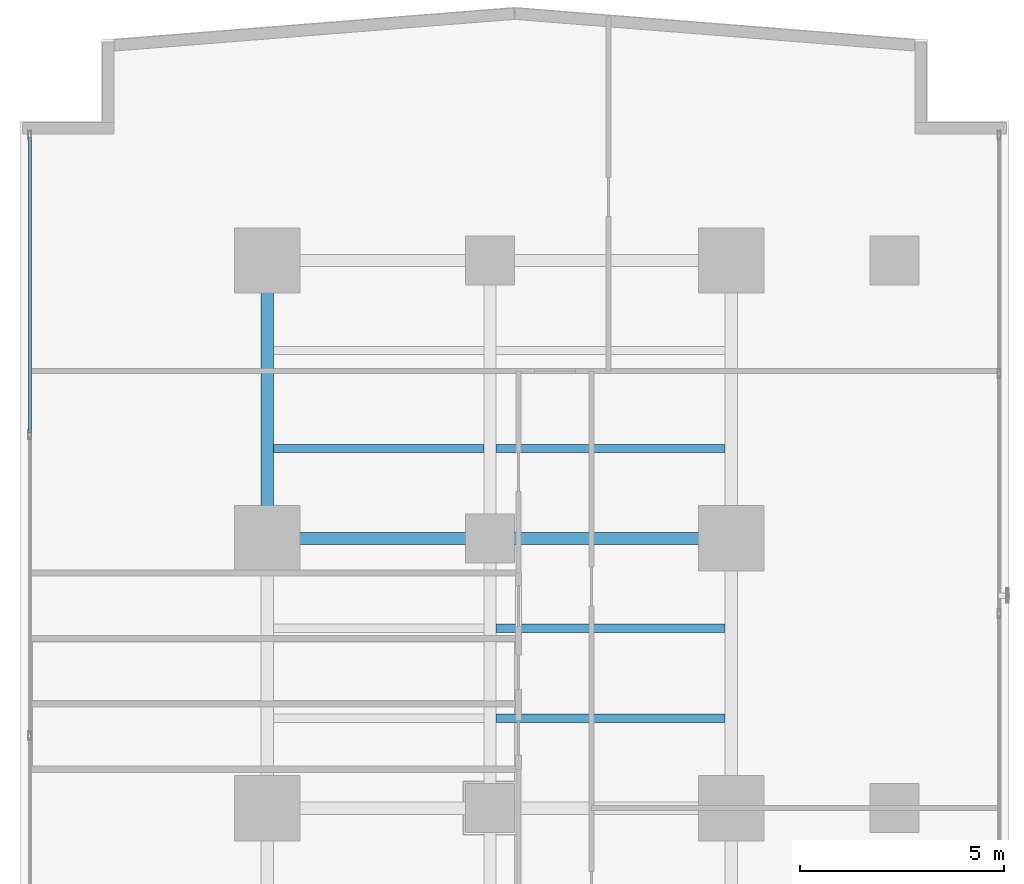
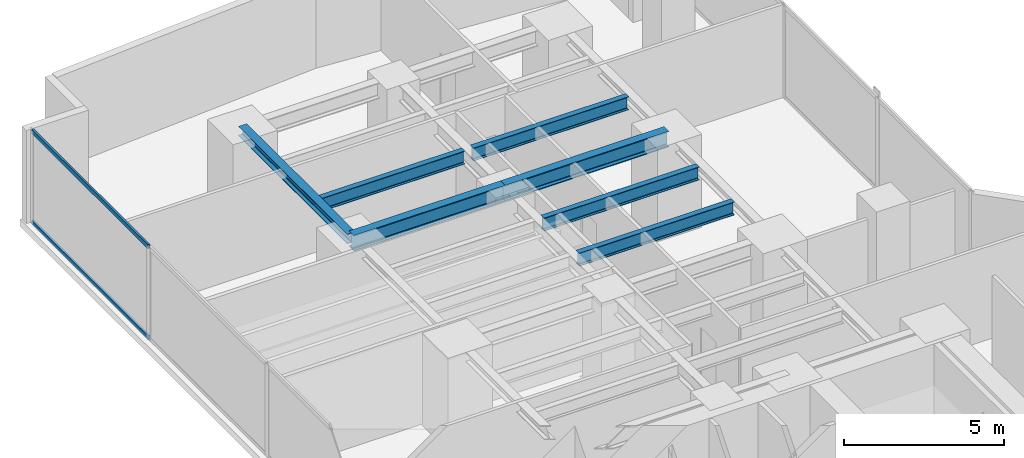
# One storey, part 16 of 26: 7 beams, 2 members, 1 element without a shape of its own.
"""IFC4 building model written with IfcOpenShell, lengths in metres."""

from ifc_helpers import new_model, si_unit, direction, frame, origin, origin_with_axes, origin_2d, place, context, subcontext, project, spatial, hollow_rectangle, i_section, extrude, source, transform, mapped, material, layer, layer_set, material_profile, profile_set, type_object, element, aggregate, save


model = new_model("IFC4")

# Units and contexts
model_context = context("Model", 3, precision=1e-05, world=origin(), true_north=direction((0.0, 1.0)))
body_context = subcontext(model_context, "Body", "Model", "MODEL_VIEW")
ifc_project = project(units=[si_unit("LENGTHUNIT", "METRE"), si_unit("AREAUNIT", "SQUARE_METRE"), si_unit("VOLUMEUNIT", "CUBIC_METRE"), si_unit("PLANEANGLEUNIT", "RADIAN"), si_unit("MASSUNIT", "GRAM", prefix="KILO")], contexts=[model_context])

# Site, building, storey
site_placement = place(None, origin())
site = spatial("IfcSite", under=ifc_project, at=site_placement, CompositionType="ELEMENT")
building_placement = place(site_placement, origin())
building = spatial("IfcBuilding", under=site, at=building_placement, Name="Kolvaren Waterfront Exchange", CompositionType="ELEMENT")
storey_placement = place(building_placement, frame((0.0, 0.0, 44.800048828125)))
storey = spatial("IfcBuildingStorey", under=building, at=storey_placement, Name="L11", CompositionType="ELEMENT", Elevation=44.800048828125)

# Beams
ifc_material_1 = material(Name="Steel S355", Category="steel")
ifc_material_profile_1 = material_profile(ifc_material_1, i_section(OverallWidth=0.300048828125, OverallDepth=0.360107421875, WebThickness=0.012451171875, FlangeThickness=0.0224609375, FilletRadius=0.027099609375, at=origin_2d()), Name="HEB360")
ifc_profile_set_1 = profile_set([ifc_material_profile_1], Name="Steel S355")
beam_type_1 = type_object("IfcBeamType", Name="STR-BM-HEB360", PredefinedType="SPANDREL", material=ifc_profile_set_1)
beam_1_placement = place(storey_placement, frame((7.449951171875, 37.800048828125, 3.35986328125), z_axis=(0.0, 1.0, 0.0), x_axis=(-1.0, 0.0, 0.0)))
element("IfcBeam", 1, at=beam_1_placement, inside=storey, type_object=beam_type_1, Name="L11 north-arm edge beam 3", PredefinedType="SPANDREL", context=body_context, shape_type="SweptSolid", body=[
    extrude(i_section(OverallWidth=0.300048828125, OverallDepth=0.360107421875, WebThickness=0.012451171875, FlangeThickness=0.0224609375, FilletRadius=0.027099609375, at=origin_2d()), origin(), (0.0, 0.0, 1.0), 6.800048828125),
])
ifc_material_profile_2 = material_profile(ifc_material_1, i_section(OverallWidth=0.300048828125, OverallDepth=0.60009765625, WebThickness=0.015380859375, FlangeThickness=0.030029296875, FilletRadius=0.027099609375, at=origin_2d()), Name="HEB600")
ifc_profile_set_2 = profile_set([ifc_material_profile_2], Name="Steel S355")
beam_type_2 = type_object("IfcBeamType", Name="STR-BM-HEB600", PredefinedType="BEAM", material=ifc_profile_set_2)
beam_2_placement = place(storey_placement, frame((7.449951171875, 37.800048828125, 3.239990234375), z_axis=(1.0, 0.0, 0.0), x_axis=(0.0, 1.0, 0.0)))
element("IfcBeam", 2, at=beam_2_placement, inside=storey, type_object=beam_type_2, Name="L11 north-arm girder 3A", PredefinedType="BEAM", context=body_context, shape_type="SweptSolid", body=[
    extrude(i_section(OverallWidth=0.300048828125, OverallDepth=0.60009765625, WebThickness=0.015380859375, FlangeThickness=0.030029296875, FilletRadius=0.027099609375, at=origin_2d()), origin(), (0.0, 0.0, 1.0), 5.449951171875),
])
beam_3_placement = place(storey_placement, frame((12.89990234375, 37.800048828125, 3.239990234375), z_axis=(1.0, 0.0, 0.0), x_axis=(0.0, 1.0, 0.0)))
element("IfcBeam", 3, at=beam_3_placement, inside=storey, type_object=beam_type_2, Name="L11 north-arm girder 3B", PredefinedType="BEAM", context=body_context, shape_type="SweptSolid", body=[
    extrude(i_section(OverallWidth=0.300048828125, OverallDepth=0.60009765625, WebThickness=0.015380859375, FlangeThickness=0.030029296875, FilletRadius=0.027099609375, at=origin_2d()), origin(), (0.0, 0.0, 1.0), 5.900146484375),
])
ifc_material_profile_3 = material_profile(ifc_material_1, i_section(OverallWidth=0.199951171875, OverallDepth=0.5, WebThickness=0.01025390625, FlangeThickness=0.01611328125, FilletRadius=0.02099609375, at=origin_2d()), Name="IPE500")
ifc_profile_set_3 = profile_set([ifc_material_profile_3], Name="Steel S355")
beam_type_3 = type_object("IfcBeamType", Name="STR-BM-IPE500", PredefinedType="JOIST", material=ifc_profile_set_3)
for number, where, z_axis, x_axis, name in (
    (4, (13.052001953125, 33.39990234375, 3.2900390625), (1.0, 0.0, 0.0), (0.0, 1.0, 0.0), "L11 north-arm composite joist 3B"),
    (5, (13.052001953125, 35.60009765625, 3.2900390625), (1.0, 0.0, 0.0), (0.0, 1.0, 0.0), "L11 north-arm composite joist 4B"),
):
    element("IfcBeam", number, at=place(storey_placement, frame(where, z_axis=z_axis, x_axis=x_axis)), inside=storey, type_object=beam_type_3, Name=name, PredefinedType="JOIST", context=body_context, shape_type="SweptSolid", body=[
        extrude(i_section(OverallWidth=0.199951171875, OverallDepth=0.5, WebThickness=0.01025390625, FlangeThickness=0.01611328125, FilletRadius=0.02099609375, at=origin_2d()), origin(), (0.0, 0.0, 1.0), 5.595947265625),
    ])
beam_4_placement = place(storey_placement, frame((7.60205078125, 40.0, 3.2900390625), z_axis=(1.0, 0.0, 0.0), x_axis=(0.0, 1.0, 0.0)))
element("IfcBeam", 6, at=beam_4_placement, inside=storey, type_object=beam_type_3, Name="L11 north-arm composite joist 5A", PredefinedType="JOIST", context=body_context, shape_type="SweptSolid", body=[
    extrude(i_section(OverallWidth=0.199951171875, OverallDepth=0.5, WebThickness=0.01025390625, FlangeThickness=0.01611328125, FilletRadius=0.02099609375, at=origin_2d()), origin(), (0.0, 0.0, 1.0), 5.14599609375),
])
beam_5_placement = place(storey_placement, frame((13.052001953125, 40.0, 3.2900390625), z_axis=(1.0, 0.0, 0.0), x_axis=(0.0, 1.0, 0.0)))
element("IfcBeam", 7, at=beam_5_placement, inside=storey, type_object=beam_type_3, Name="L11 north-arm composite joist 5B", PredefinedType="JOIST", context=body_context, shape_type="SweptSolid", body=[
    extrude(i_section(OverallWidth=0.199951171875, OverallDepth=0.5, WebThickness=0.01025390625, FlangeThickness=0.01611328125, FilletRadius=0.02099609375, at=origin_2d()), origin(), (0.0, 0.0, 1.0), 5.595947265625),
])

# Curtain wall, members
ifc_material_2 = material(Name="Anodised aluminium 6063-T6", Category="aluminium")
ifc_layer = layer(ifc_material_2, 0.219970703125, Name="Anodised aluminium 6063-T6")
ifc_layer_set = layer_set([ifc_layer], Name="Anodised aluminium 6063-T6")
curtain_wall_type = type_object("IfcCurtainWallType", Name="ARC-CW-SYS2", PredefinedType="USERDEFINED", material=ifc_layer_set)
curtain_wall_placement = place(storey_placement, origin())
curtain_wall = element("IfcCurtainWall", 8, at=curtain_wall_placement, inside=storey, type_object=curtain_wall_type, Name="L11 stick curtain wall CW2 (CW-L11-W)", ObjectType="STICK CURTAIN WALL", PredefinedType="USERDEFINED")
ifc_material_profile_4 = material_profile(ifc_material_2, hollow_rectangle(XDim=0.074951171875, YDim=0.159912109375, WallThickness=0.00439453125, at=origin_2d()), Name="ALU-TRN-160x75x4.5")
ifc_profile_set_4 = profile_set([ifc_material_profile_4], Name="Anodised aluminium 6063-T6")
member_type = type_object("IfcMemberType", Name="ARC-CWT-160", PredefinedType="USERDEFINED", material=ifc_profile_set_4)
shared_shape = source(origin_with_axes(), body_context, "Body", "SweptSolid", [
    extrude(hollow_rectangle(XDim=0.074951171875, YDim=0.159912109375, WallThickness=0.00439453125, at=origin_2d()), origin(), (0.0, 0.0, 1.0), 7.246826171875),
])
member_1_placement = place(storey_placement, frame((1.639892578125, 40.373291015625, 0.037353515625), z_axis=(0.0, 1.0, 0.0), x_axis=(-1.0, 0.0, 0.0)))
member_1 = element("IfcMember", 9, at=member_1_placement, type_object=member_type, Name="CW2 transom 6.1", ObjectType="TRANSOM", PredefinedType="USERDEFINED", context=body_context, shape_type="MappedRepresentation", body=[
    mapped(shared_shape, transform((0.0, 0.0, 0.0), x_axis=(1.0, 0.0, 0.0), y_axis=(0.0, 1.0, 0.0), z_axis=(0.0, 0.0, 1.0), scale=1.0)),
])
member_2_placement = place(storey_placement, frame((1.639892578125, 40.373291015625, 3.50244140625), z_axis=(0.0, 1.0, 0.0), x_axis=(-1.0, 0.0, 0.0)))
member_2 = element("IfcMember", 10, at=member_2_placement, type_object=member_type, Name="CW2 transom 6.2", ObjectType="TRANSOM", PredefinedType="USERDEFINED", context=body_context, shape_type="MappedRepresentation", body=[
    mapped(shared_shape, transform((0.0, 0.0, 0.0), x_axis=(1.0, 0.0, 0.0), y_axis=(0.0, 1.0, 0.0), z_axis=(0.0, 0.0, 1.0), scale=1.0)),
])
aggregate(curtain_wall, [member_1, member_2])

save(model, "model.ifc")
